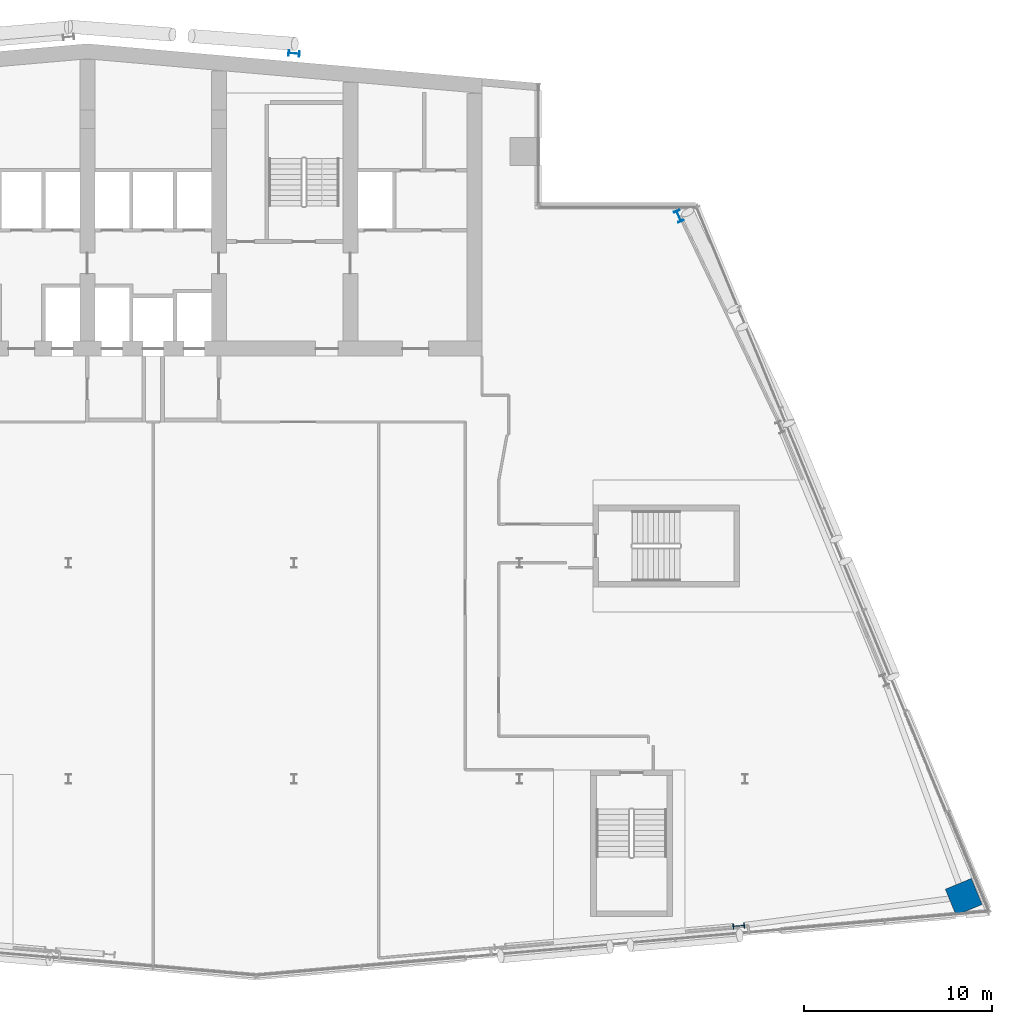
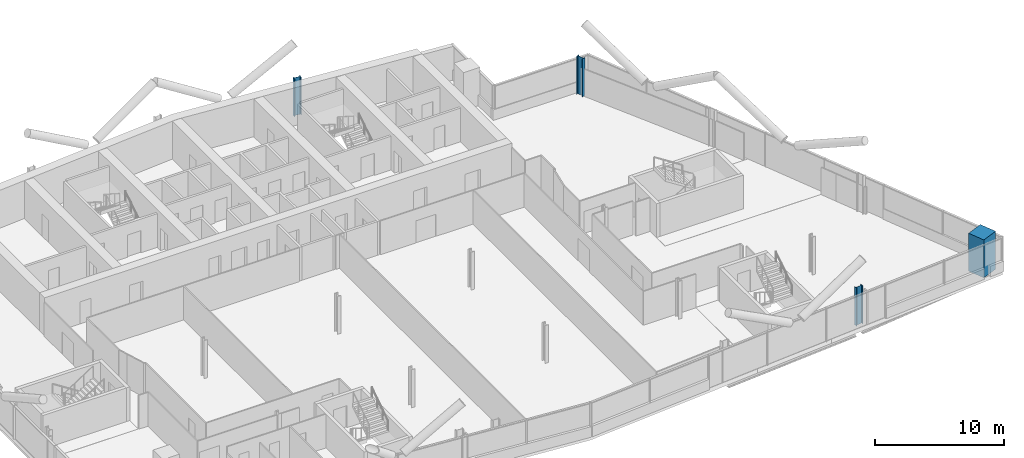
# One storey, part 4 of 26: 4 columns.
"""IFC4 building model written with IfcOpenShell, lengths in metres."""

from ifc_helpers import new_model, si_unit, direction, frame, origin, origin_2d, place, context, subcontext, project, spatial, rectangle, i_section, extrude, material, material_profile, profile_set, type_object, element, save


model = new_model("IFC4")

# Units and contexts
model_context = context("Model", 3, precision=1e-05, world=origin(), true_north=direction((0.0, 1.0)))
body_context = subcontext(model_context, "Body", "Model", "MODEL_VIEW")
ifc_project = project(units=[si_unit("LENGTHUNIT", "METRE"), si_unit("AREAUNIT", "SQUARE_METRE"), si_unit("VOLUMEUNIT", "CUBIC_METRE"), si_unit("PLANEANGLEUNIT", "RADIAN"), si_unit("MASSUNIT", "GRAM", prefix="KILO")], contexts=[model_context])

# Site, building, storey
site_placement = place(None, origin())
site = spatial("IfcSite", under=ifc_project, at=site_placement, CompositionType="ELEMENT")
building_placement = place(site_placement, origin())
building = spatial("IfcBuilding", under=site, at=building_placement, Name="Wharfspan Tower", CompositionType="ELEMENT")
storey_placement = place(building_placement, frame((0.0, 0.0, 180.699951)))
storey = spatial("IfcBuildingStorey", under=building, at=storey_placement, Name="L44", CompositionType="ELEMENT", Elevation=180.699951)

# Columns
ifc_material_1 = material(Name="Steel S355J2", Category="steel")
ifc_material_profile_1 = material_profile(ifc_material_1, i_section(OverallWidth=0.300049, OverallDepth=0.600098, WebThickness=0.015381, FlangeThickness=0.030029, FilletRadius=0.0271, at=origin_2d()))
ifc_profile_set_1 = profile_set([ifc_material_profile_1], Name="Steel S355J2")
column_type_1 = type_object("IfcColumnType", Name="Column HEB 600", PredefinedType="COLUMN", material=ifc_profile_set_1)
column_1_placement = place(storey_placement, frame((48.0, 50.112305, 0.0), z_axis=(0.0, 0.0, 1.0), x_axis=(0.087156, 0.996198, 0.0)))
element("IfcColumn", 1, at=column_1_placement, inside=storey, type_object=column_type_1, Name="Rear column R.3 L44", PredefinedType="COLUMN", context=body_context, shape_type="SweptSolid", body=[
    extrude(i_section(OverallWidth=0.300049, OverallDepth=0.600098, WebThickness=0.015381, FlangeThickness=0.030029, FilletRadius=0.0271, at=origin_2d()), origin(), (0.0, 0.0, 1.0), 3.600098),
])
ifc_material_profile_2 = material_profile(ifc_material_1, i_section(OverallWidth=0.304932, OverallDepth=0.620117, WebThickness=0.020996, FlangeThickness=0.040039, FilletRadius=0.0271, at=origin_2d()))
ifc_profile_set_2 = profile_set([ifc_material_profile_2], Name="Steel S355J2")
column_type_2 = type_object("IfcColumnType", Name="Column HEM 600", PredefinedType="COLUMN", material=ifc_profile_set_2)
for number, where, z_axis, x_axis, name in (
    (2, (71.661865, 3.684814, 0.0), (0.0, 0.0, 1.0), (0.087156, -0.996198, 0.0), "Perimeter column PS2.2 L44"),
    (3, (68.471924, 41.450439, 0.0), (0.0, 0.0, 1.0), (0.924325, 0.381602, 0.0), "Perimeter column PE.3 L44"),
):
    element("IfcColumn", number, at=place(storey_placement, frame(where, z_axis=z_axis, x_axis=x_axis)), inside=storey, type_object=column_type_2, Name=name, PredefinedType="COLUMN", context=body_context, shape_type="SweptSolid", body=[
        extrude(i_section(OverallWidth=0.304932, OverallDepth=0.620117, WebThickness=0.020996, FlangeThickness=0.040039, FilletRadius=0.0271, at=origin_2d()), origin(), (0.0, 0.0, 1.0), 3.600098),
    ])
ifc_material_2 = material(Name="Concrete C60/75", Category="concrete")
ifc_material_profile_3 = material_profile(ifc_material_2, rectangle(XDim=1.5, YDim=1.5, at=origin_2d()))
ifc_profile_set_3 = profile_set([ifc_material_profile_3], Name="Concrete C60/75")
column_type_3 = type_object("IfcColumnType", Name="Mega column 1500 C60/75", PredefinedType="COLUMN", material=ifc_profile_set_3)
column_2_placement = place(storey_placement, frame((83.632568, 5.230713, 0.0), z_axis=(0.0, 0.0, 1.0), x_axis=(-0.381602, 0.924325, 0.0)))
element("IfcColumn", 4, at=column_2_placement, inside=storey, type_object=column_type_3, Name="Mega column MC4 L44", PredefinedType="COLUMN", context=body_context, shape_type="SweptSolid", body=[
    extrude(rectangle(XDim=1.5, YDim=1.5, at=origin_2d()), origin(), (0.0, 0.0, 1.0), 3.600098),
])

save(model, "model.ifc")
